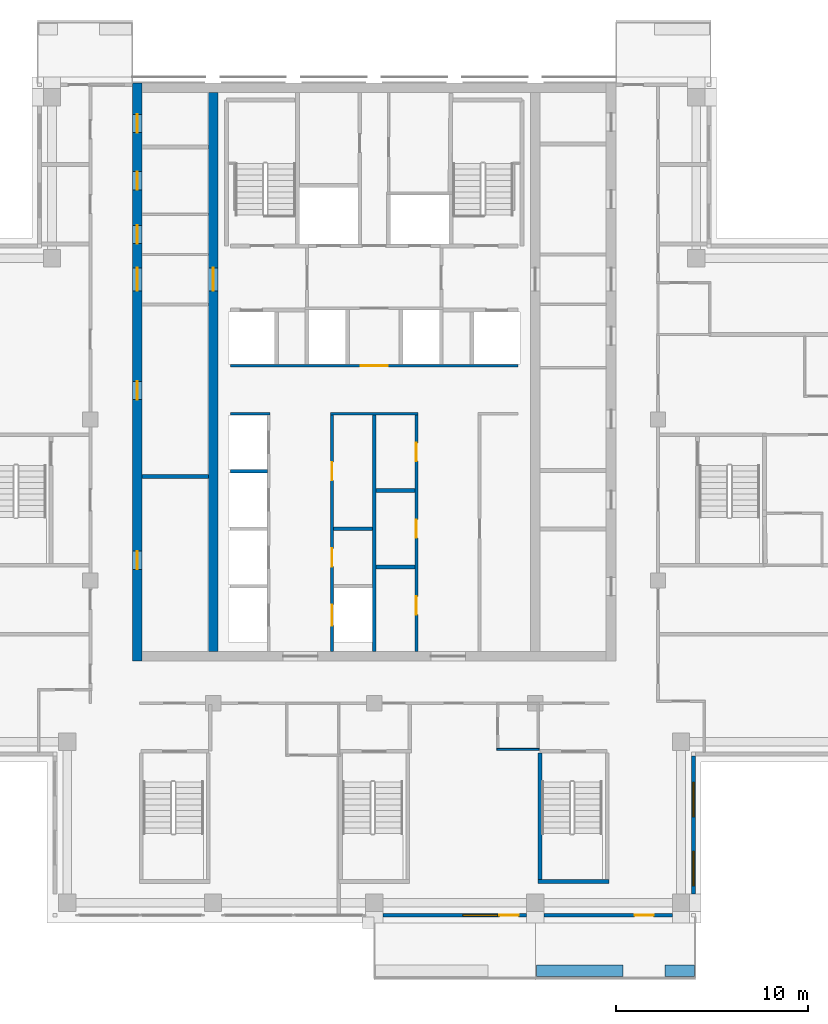
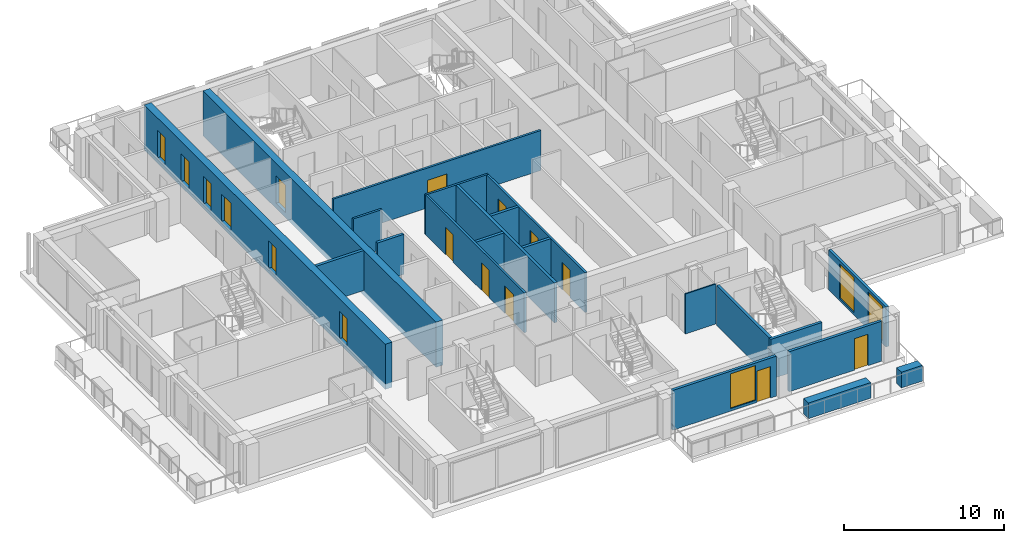
# One storey, part 10 of 17: 21 walls, 16 doors, 3 windows, 19 openings.
"""IFC4 building model written with IfcOpenShell, lengths in metres."""

from ifc_helpers import new_model, si_unit, direction, frame, frame_2d, origin, place, context, subcontext, project, spatial, rectangle, extrude, material, layer, layer_set, type_object, element, fill, save


model = new_model("IFC4")

# Units and contexts
model_context = context("Model", 3, precision=1e-05, world=origin(), true_north=direction((0.0, 1.0)))
body_context = subcontext(model_context, "Body", "Model", "MODEL_VIEW")
ifc_project = project(units=[si_unit("LENGTHUNIT", "METRE"), si_unit("AREAUNIT", "SQUARE_METRE"), si_unit("VOLUMEUNIT", "CUBIC_METRE"), si_unit("PLANEANGLEUNIT", "RADIAN"), si_unit("MASSUNIT", "GRAM", prefix="KILO")], contexts=[model_context])

# Site, building, storey
site_placement = place(None, origin())
site = spatial("IfcSite", under=ifc_project, at=site_placement, CompositionType="ELEMENT")
building_placement = place(site_placement, origin())
building = spatial("IfcBuilding", under=site, at=building_placement, Name="Vermilion Ogive Tower", CompositionType="ELEMENT")
storey_placement = place(building_placement, frame((0.0, 0.0, 244.14990234375)))
storey = spatial("IfcBuildingStorey", under=building, at=storey_placement, Name="L64", CompositionType="ELEMENT", Elevation=244.14990234375)

# Wall, openings, doors
ifc_material_1 = material(Name="Concrete B60", Category="concrete")
ifc_layer_1 = layer(ifc_material_1, 0.5)
ifc_layer_set_1 = layer_set([ifc_layer_1], Name="Core wall 500 B60")
wall_type_1 = type_object("IfcWallType", Name="Core wall 500 B60", PredefinedType="SHEAR", material=ifc_layer_set_1)
wall_1_placement = place(storey_placement, frame((-12.35009765625, -8.39990234375, -0.39990234375), z_axis=(0.0, 0.0, 1.0), x_axis=(0.0, 1.0, 0.0)))
wall_1 = element("IfcWall", 1, at=wall_1_placement, inside=storey, type_object=wall_type_1, Name="L64-CORE-W", PredefinedType="SHEAR", context=body_context, shape_type="SweptSolid", body=[
    extrude(rectangle(XDim=30.14990234375, YDim=0.5, at=frame_2d((15.074951171875, 0.0))), origin(), (0.0, 0.0, 1.0), 3.449951171875),
])
opening_1_placement = place(wall_1_placement, frame((4.78759765625, 0.0, 0.39990234375)))
opening_1 = element("IfcOpeningElement", 2, at=opening_1_placement, cuts=wall_1, Name="Opening DAD111", PredefinedType="OPENING", context=body_context, shape_type="SweptSolid", body=[
    extrude(rectangle(XDim=0.949951171875, YDim=2.10009765625, at=frame_2d((0.47509765625, 1.050048828125))), frame((0.0, 0.260009765625, 0.0), z_axis=(0.0, -1.0, 0.0), x_axis=(1.0, 0.0, 0.0)), (0.0, 0.0, 1.0), 0.52001953125),
])
opening_2_placement = place(wall_1_placement, frame((13.6376953125, 0.0, 0.39990234375)))
opening_2 = element("IfcOpeningElement", 3, at=opening_2_placement, cuts=wall_1, Name="Opening DAD112", PredefinedType="OPENING", context=body_context, shape_type="SweptSolid", body=[
    extrude(rectangle(XDim=0.949951171875, YDim=2.10009765625, at=frame_2d((0.47509765625, 1.050048828125))), frame((0.0, 0.260009765625, 0.0), z_axis=(0.0, -1.0, 0.0), x_axis=(1.0, 0.0, 0.0)), (0.0, 0.0, 1.0), 0.52001953125),
])
opening_3_placement = place(wall_1_placement, frame((21.7705078125, 0.0, 0.39990234375)))
opening_3 = element("IfcOpeningElement", 4, at=opening_3_placement, cuts=wall_1, Name="Opening DAD113", PredefinedType="OPENING", context=body_context, shape_type="SweptSolid", body=[
    extrude(rectangle(XDim=0.949951171875, YDim=2.10009765625, at=frame_2d((0.47509765625, 1.050048828125))), frame((0.0, 0.260009765625, 0.0), z_axis=(0.0, -1.0, 0.0), x_axis=(1.0, 0.0, 0.0)), (0.0, 0.0, 1.0), 0.52001953125),
])
opening_4_placement = place(wall_1_placement, frame((24.57568359375, 0.0, 0.39990234375)))
opening_4 = element("IfcOpeningElement", 5, at=opening_4_placement, cuts=wall_1, Name="Opening DAD114", PredefinedType="OPENING", context=body_context, shape_type="SweptSolid", body=[
    extrude(rectangle(XDim=0.949951171875, YDim=2.10009765625, at=frame_2d((0.47509765625, 1.050048828125))), frame((0.0, 0.260009765625, 0.0), z_axis=(0.0, -1.0, 0.0), x_axis=(1.0, 0.0, 0.0)), (0.0, 0.0, 1.0), 0.52001953125),
])
opening_5_placement = place(wall_1_placement, frame((27.555419921875, 0.0, 0.39990234375)))
opening_5 = element("IfcOpeningElement", 6, at=opening_5_placement, cuts=wall_1, Name="Opening DAD115", PredefinedType="OPENING", context=body_context, shape_type="SweptSolid", body=[
    extrude(rectangle(XDim=0.949951171875, YDim=2.10009765625, at=frame_2d((0.47509765625, 1.050048828125))), frame((0.0, 0.260009765625, 0.0), z_axis=(0.0, -1.0, 0.0), x_axis=(1.0, 0.0, 0.0)), (0.0, 0.0, 1.0), 0.52001953125),
])
opening_6_placement = place(wall_1_placement, frame((19.300048828125, 0.0, 0.39990234375)))
opening_6 = element("IfcOpeningElement", 7, at=opening_6_placement, cuts=wall_1, Name="Opening DAM026", PredefinedType="OPENING", context=body_context, shape_type="SweptSolid", body=[
    extrude(rectangle(XDim=1.199951171875, YDim=2.10009765625, at=frame_2d((0.60009765625, 1.050048828125))), frame((0.0, 0.260009765625, 0.0), z_axis=(0.0, -1.0, 0.0), x_axis=(1.0, 0.0, 0.0)), (0.0, 0.0, 1.0), 0.52001953125),
])
ifc_material_2 = material(Name="Timber door leaf", Category="wood")
door_type_1 = type_object("IfcDoorType", Name="Link door 1200 x 2100 FD60S", OperationType="SINGLE_SWING_LEFT", PredefinedType="DOOR", material=ifc_material_2)
door_1_placement = place(opening_6_placement, origin())
door_1 = element("IfcDoor", 8, at=door_1_placement, inside=storey, type_object=door_type_1, Name="L64-CKW-XL", OperationType="SINGLE_SWING_LEFT", OverallHeight=2.10009765625, OverallWidth=1.199951171875, PredefinedType="DOOR", context=body_context, shape_type="SweptSolid", body=[
    extrude(rectangle(XDim=1.199951171875, YDim=2.10009765625, at=frame_2d((0.60009765625, 1.050048828125))), frame((0.0, 0.02490234375, 0.0), z_axis=(0.0, -1.0, 0.0), x_axis=(1.0, 0.0, 0.0)), (0.0, 0.0, 1.0), 0.050048828125),
])
fill(opening_6, door_1)
ifc_material_3 = material(Name="Timber door leaf", Category="wood")
door_type_2 = type_object("IfcDoorType", Name="Service door 950 x 2100 FD60", OperationType="SINGLE_SWING_LEFT", PredefinedType="DOOR", material=ifc_material_3)
door_2_placement = place(opening_1_placement, origin())
door_2 = element("IfcDoor", 9, at=door_2_placement, inside=storey, type_object=door_type_2, Name="L64-CKW-XR0", OperationType="SINGLE_SWING_LEFT", OverallHeight=2.10009765625, OverallWidth=0.949951171875, PredefinedType="DOOR", context=body_context, shape_type="SweptSolid", body=[
    extrude(rectangle(XDim=0.949951171875, YDim=2.10009765625, at=frame_2d((0.47509765625, 1.050048828125))), frame((0.0, 0.02490234375, 0.0), z_axis=(0.0, -1.0, 0.0), x_axis=(1.0, 0.0, 0.0)), (0.0, 0.0, 1.0), 0.050048828125),
])
fill(opening_1, door_2)
door_3_placement = place(opening_2_placement, origin())
door_3 = element("IfcDoor", 10, at=door_3_placement, inside=storey, type_object=door_type_2, Name="L64-CKW-XR1", OperationType="SINGLE_SWING_LEFT", OverallHeight=2.10009765625, OverallWidth=0.949951171875, PredefinedType="DOOR", context=body_context, shape_type="SweptSolid", body=[
    extrude(rectangle(XDim=0.949951171875, YDim=2.10009765625, at=frame_2d((0.47509765625, 1.050048828125))), frame((0.0, 0.02490234375, 0.0), z_axis=(0.0, -1.0, 0.0), x_axis=(1.0, 0.0, 0.0)), (0.0, 0.0, 1.0), 0.050048828125),
])
fill(opening_2, door_3)
door_4_placement = place(opening_3_placement, origin())
door_4 = element("IfcDoor", 11, at=door_4_placement, inside=storey, type_object=door_type_2, Name="L64-CKW-XR2", OperationType="SINGLE_SWING_LEFT", OverallHeight=2.10009765625, OverallWidth=0.949951171875, PredefinedType="DOOR", context=body_context, shape_type="SweptSolid", body=[
    extrude(rectangle(XDim=0.949951171875, YDim=2.10009765625, at=frame_2d((0.47509765625, 1.050048828125))), frame((0.0, 0.02490234375, 0.0), z_axis=(0.0, -1.0, 0.0), x_axis=(1.0, 0.0, 0.0)), (0.0, 0.0, 1.0), 0.050048828125),
])
fill(opening_3, door_4)
door_5_placement = place(opening_4_placement, origin())
door_5 = element("IfcDoor", 12, at=door_5_placement, inside=storey, type_object=door_type_2, Name="L64-CKW-XR3", OperationType="SINGLE_SWING_LEFT", OverallHeight=2.10009765625, OverallWidth=0.949951171875, PredefinedType="DOOR", context=body_context, shape_type="SweptSolid", body=[
    extrude(rectangle(XDim=0.949951171875, YDim=2.10009765625, at=frame_2d((0.47509765625, 1.050048828125))), frame((0.0, 0.02490234375, 0.0), z_axis=(0.0, -1.0, 0.0), x_axis=(1.0, 0.0, 0.0)), (0.0, 0.0, 1.0), 0.050048828125),
])
fill(opening_4, door_5)
door_6_placement = place(opening_5_placement, origin())
door_6 = element("IfcDoor", 13, at=door_6_placement, inside=storey, type_object=door_type_2, Name="L64-CKW-XR4", OperationType="SINGLE_SWING_LEFT", OverallHeight=2.10009765625, OverallWidth=0.949951171875, PredefinedType="DOOR", context=body_context, shape_type="SweptSolid", body=[
    extrude(rectangle(XDim=0.949951171875, YDim=2.10009765625, at=frame_2d((0.47509765625, 1.050048828125))), frame((0.0, 0.02490234375, 0.0), z_axis=(0.0, -1.0, 0.0), x_axis=(1.0, 0.0, 0.0)), (0.0, 0.0, 1.0), 0.050048828125),
])
fill(opening_5, door_6)

# Wall, opening, door
wall_2_placement = place(storey_placement, frame((-8.39990234375, -7.89990234375, -0.39990234375), z_axis=(0.0, 0.0, 1.0), x_axis=(0.0, 1.0, 0.0)))
wall_2 = element("IfcWall", 14, at=wall_2_placement, inside=storey, type_object=wall_type_1, Name="L64-CORE-WEB1", PredefinedType="SHEAR", context=body_context, shape_type="SweptSolid", body=[
    extrude(rectangle(XDim=29.14990234375, YDim=0.5, at=frame_2d((14.574951171875, 0.0))), origin(), (0.0, 0.0, 1.0), 3.449951171875),
])
opening_7_placement = place(wall_2_placement, frame((18.800048828125, 0.0, 0.39990234375)))
opening_7 = element("IfcOpeningElement", 15, at=opening_7_placement, cuts=wall_2, Name="Opening DAP021", PredefinedType="OPENING", context=body_context, shape_type="SweptSolid", body=[
    extrude(rectangle(XDim=1.199951171875, YDim=2.10009765625, at=frame_2d((0.60009765625, 1.050048828125))), frame((0.0, 0.260009765625, 0.0), z_axis=(0.0, -1.0, 0.0), x_axis=(1.0, 0.0, 0.0)), (0.0, 0.0, 1.0), 0.52001953125),
])
door_7_placement = place(opening_7_placement, origin())
door_7 = element("IfcDoor", 16, at=door_7_placement, inside=storey, type_object=door_type_1, Name="L64-CKW-XW", OperationType="SINGLE_SWING_LEFT", OverallHeight=2.10009765625, OverallWidth=1.199951171875, PredefinedType="DOOR", context=body_context, shape_type="SweptSolid", body=[
    extrude(rectangle(XDim=1.199951171875, YDim=2.10009765625, at=frame_2d((0.60009765625, 1.050048828125))), frame((0.0, 0.02490234375, 0.0), z_axis=(0.0, -1.0, 0.0), x_axis=(1.0, 0.0, 0.0)), (0.0, 0.0, 1.0), 0.050048828125),
])
fill(opening_7, door_7)

# Walls
ifc_material_4 = material(Name="Gypsum board partition on steel studs", Category="steel")
ifc_layer_2 = layer(ifc_material_4, 0.10009765625)
ifc_layer_set_2 = layer_set([ifc_layer_2], Name="Partition 100 bath")
wall_type_2 = type_object("IfcWallType", Name="Partition 100 bath", PredefinedType="PARTITIONING", material=ifc_layer_set_2)
wall_3_placement = place(storey_placement, frame((6.39990234375, -13.0, 0.0), z_axis=(0.0, 0.0, 1.0), x_axis=(1.0, 0.0, 0.0)))
element("IfcWall", 17, at=wall_3_placement, inside=storey, type_object=wall_type_2, Name="L64-W-W006", PredefinedType="PARTITIONING", context=body_context, shape_type="SweptSolid", body=[
    extrude(rectangle(XDim=2.2001953125, YDim=0.10009765625, at=frame_2d((1.10009765625, 0.0))), origin(), (0.0, 0.0, 1.0), 3.050048828125),
])
ifc_material_5 = material(Name="Gypsum board partition on steel studs", Category="steel")
ifc_layer_3 = layer(ifc_material_5, 0.14990234375)
ifc_layer_set_3 = layer_set([ifc_layer_3], Name="Partition 150 corridor")
wall_type_3 = type_object("IfcWallType", Name="Partition 150 corridor", PredefinedType="PARTITIONING", material=ifc_layer_set_3)
wall_4_placement = place(storey_placement, frame((-7.5, 4.5, 0.0), z_axis=(0.0, 0.0, 1.0), x_axis=(1.0, 0.0, 0.0)))
element("IfcWall", 18, at=wall_4_placement, inside=storey, type_object=wall_type_3, Name="L64-CK-W-W008", PredefinedType="PARTITIONING", context=body_context, shape_type="SweptSolid", body=[
    extrude(rectangle(XDim=2.074951171875, YDim=0.14990234375, at=frame_2d((1.03759765625, 0.0))), origin(), (0.0, 0.0, 1.0), 3.050048828125),
])
wall_5_placement = place(storey_placement, frame((-2.27490234375, 4.5, 0.0), z_axis=(0.0, 0.0, 1.0), x_axis=(1.0, 0.0, 0.0)))
element("IfcWall", 19, at=wall_5_placement, inside=storey, type_object=wall_type_3, Name="L64-CK-W-W009", PredefinedType="PARTITIONING", context=body_context, shape_type="SweptSolid", body=[
    extrude(rectangle(XDim=4.5498046875, YDim=0.14990234375, at=frame_2d((2.27490234375, 0.0))), origin(), (0.0, 0.0, 1.0), 3.050048828125),
])

# Wall, opening, door
wall_6_placement = place(storey_placement, frame((-7.5, 7.0, 0.0), z_axis=(0.0, 0.0, 1.0), x_axis=(1.0, 0.0, 0.0)))
wall_6 = element("IfcWall", 20, at=wall_6_placement, inside=storey, type_object=wall_type_3, Name="L64-CK-W-W011", PredefinedType="PARTITIONING", context=body_context, shape_type="SweptSolid", body=[
    extrude(rectangle(XDim=15.0, YDim=0.14990234375, at=frame_2d((7.5, 0.0))), origin(), (0.0, 0.0, 1.0), 3.050048828125),
])
opening_8_placement = place(wall_6_placement, frame((6.800048828125, 0.0, 0.0)))
opening_8 = element("IfcOpeningElement", 21, at=opening_8_placement, cuts=wall_6, Name="Opening DAA587", PredefinedType="OPENING", context=body_context, shape_type="SweptSolid", body=[
    extrude(rectangle(XDim=1.39990234375, YDim=2.10009765625, at=frame_2d((0.699951171875, 1.050048828125))), frame((0.0, 0.0849609375, 0.0), z_axis=(0.0, -1.0, 0.0), x_axis=(1.0, 0.0, 0.0)), (0.0, 0.0, 1.0), 0.169921875),
])
ifc_material_6 = material(Name="Timber door leaf", Category="wood")
door_type_3 = type_object("IfcDoorType", Name="Lobby door 1400 x 2100 FD60S", OperationType="SINGLE_SWING_LEFT", PredefinedType="DOOR", material=ifc_material_6)
door_8_placement = place(opening_8_placement, origin())
door_8 = element("IfcDoor", 22, at=door_8_placement, inside=storey, type_object=door_type_3, Name="L64-CK-D-D016", OperationType="SINGLE_SWING_RIGHT", OverallHeight=2.10009765625, OverallWidth=1.39990234375, PredefinedType="DOOR", context=body_context, shape_type="SweptSolid", body=[
    extrude(rectangle(XDim=1.39990234375, YDim=2.10009765625, at=frame_2d((0.699951171875, 1.050048828125))), frame((0.0, 0.02490234375, 0.0), z_axis=(0.0, -1.0, 0.0), x_axis=(1.0, 0.0, 0.0)), (0.0, 0.0, 1.0), 0.050048828125),
])
fill(opening_8, door_8)

# Wall, openings, doors
wall_7_placement = place(storey_placement, frame((-2.199951171875, -7.89892578125, 0.0), z_axis=(0.0, 0.0, 1.0), x_axis=(0.0, 1.0, 0.0)))
wall_7 = element("IfcWall", 23, at=wall_7_placement, inside=storey, type_object=wall_type_3, Name="L64-CK-W-W025", PredefinedType="PARTITIONING", context=body_context, shape_type="SweptSolid", body=[
    extrude(rectangle(XDim=12.323974609375, YDim=0.14990234375, at=frame_2d((6.162109375, 0.0))), origin(), (0.0, 0.0, 1.0), 3.050048828125),
])
opening_9_placement = place(wall_7_placement, frame((1.348876953125, 0.0, 0.0)))
opening_9 = element("IfcOpeningElement", 24, at=opening_9_placement, cuts=wall_7, Name="Opening DAA604", PredefinedType="OPENING", context=body_context, shape_type="SweptSolid", body=[
    extrude(rectangle(XDim=1.10009765625, YDim=2.10009765625, at=frame_2d((0.550048828125, 1.050048828125))), frame((0.0, 0.0849609375, 0.0), z_axis=(0.0, -1.0, 0.0), x_axis=(1.0, 0.0, 0.0)), (0.0, 0.0, 1.0), 0.169921875),
])
opening_10_placement = place(wall_7_placement, frame((4.423828125, 0.0, 0.0)))
opening_10 = element("IfcOpeningElement", 25, at=opening_10_placement, cuts=wall_7, Name="Opening DAA590", PredefinedType="OPENING", context=body_context, shape_type="SweptSolid", body=[
    extrude(rectangle(XDim=0.949951171875, YDim=2.10009765625, at=frame_2d((0.47509765625, 1.050048828125))), frame((0.0, 0.0849609375, 0.0), z_axis=(0.0, -1.0, 0.0), x_axis=(1.0, 0.0, 0.0)), (0.0, 0.0, 1.0), 0.169921875),
])
opening_11_placement = place(wall_7_placement, frame((8.923828125, 0.0, 0.0)))
opening_11 = element("IfcOpeningElement", 26, at=opening_11_placement, cuts=wall_7, Name="Opening DAA591", PredefinedType="OPENING", context=body_context, shape_type="SweptSolid", body=[
    extrude(rectangle(XDim=0.949951171875, YDim=2.10009765625, at=frame_2d((0.47509765625, 1.050048828125))), frame((0.0, 0.0849609375, 0.0), z_axis=(0.0, -1.0, 0.0), x_axis=(1.0, 0.0, 0.0)), (0.0, 0.0, 1.0), 0.169921875),
])
ifc_material_7 = material(Name="Stainless steel", Category="steel")
door_type_4 = type_object("IfcDoorType", Name="Lift landing door 1100 x 2100", OperationType="SLIDING_TO_LEFT", PredefinedType="DOOR", material=ifc_material_7)
door_9_placement = place(opening_9_placement, origin())
door_9 = element("IfcDoor", 27, at=door_9_placement, inside=storey, type_object=door_type_4, Name="L64-CK-D-D005", OperationType="SLIDING_TO_LEFT", OverallHeight=2.10009765625, OverallWidth=1.10009765625, PredefinedType="DOOR", context=body_context, shape_type="SweptSolid", body=[
    extrude(rectangle(XDim=1.10009765625, YDim=2.10009765625, at=frame_2d((0.550048828125, 1.050048828125))), frame((0.0, 0.02490234375, 0.0), z_axis=(0.0, -1.0, 0.0), x_axis=(1.0, 0.0, 0.0)), (0.0, 0.0, 1.0), 0.050048828125),
])
fill(opening_9, door_9)
door_10_placement = place(opening_10_placement, origin())
door_10 = element("IfcDoor", 28, at=door_10_placement, inside=storey, type_object=door_type_2, Name="L64-CK-D-D006", OperationType="SINGLE_SWING_RIGHT", OverallHeight=2.10009765625, OverallWidth=0.949951171875, PredefinedType="DOOR", context=body_context, shape_type="SweptSolid", body=[
    extrude(rectangle(XDim=0.949951171875, YDim=2.10009765625, at=frame_2d((0.47509765625, 1.050048828125))), frame((0.0, 0.02490234375, 0.0), z_axis=(0.0, -1.0, 0.0), x_axis=(1.0, 0.0, 0.0)), (0.0, 0.0, 1.0), 0.050048828125),
])
fill(opening_10, door_10)
door_11_placement = place(opening_11_placement, origin())
door_11 = element("IfcDoor", 29, at=door_11_placement, inside=storey, type_object=door_type_2, Name="L64-CK-D-D007", OperationType="SINGLE_SWING_LEFT", OverallHeight=2.10009765625, OverallWidth=0.949951171875, PredefinedType="DOOR", context=body_context, shape_type="SweptSolid", body=[
    extrude(rectangle(XDim=0.949951171875, YDim=2.10009765625, at=frame_2d((0.47509765625, 1.050048828125))), frame((0.0, 0.02490234375, 0.0), z_axis=(0.0, -1.0, 0.0), x_axis=(1.0, 0.0, 0.0)), (0.0, 0.0, 1.0), 0.050048828125),
])
fill(opening_11, door_11)

wall_8_placement = place(storey_placement, frame((2.199951171875, -7.89892578125, 0.0), z_axis=(0.0, 0.0, 1.0), x_axis=(0.0, 1.0, 0.0)))
wall_8 = element("IfcWall", 30, at=wall_8_placement, inside=storey, type_object=wall_type_3, Name="L64-CK-W-W032", PredefinedType="PARTITIONING", context=body_context, shape_type="SweptSolid", body=[
    extrude(rectangle(XDim=12.323974609375, YDim=0.14990234375, at=frame_2d((6.162109375, 0.0))), origin(), (0.0, 0.0, 1.0), 3.050048828125),
])
opening_12_placement = place(wall_8_placement, frame((1.923828125, 0.0, 0.0)))
opening_12 = element("IfcOpeningElement", 31, at=opening_12_placement, cuts=wall_8, Name="Opening DAA592", PredefinedType="OPENING", context=body_context, shape_type="SweptSolid", body=[
    extrude(rectangle(XDim=0.949951171875, YDim=2.10009765625, at=frame_2d((0.47509765625, 1.050048828125))), frame((0.0, 0.0849609375, 0.0), z_axis=(0.0, -1.0, 0.0), x_axis=(1.0, 0.0, 0.0)), (0.0, 0.0, 1.0), 0.169921875),
])
opening_13_placement = place(wall_8_placement, frame((5.923828125, 0.0, 0.0)))
opening_13 = element("IfcOpeningElement", 32, at=opening_13_placement, cuts=wall_8, Name="Opening DAA593", PredefinedType="OPENING", context=body_context, shape_type="SweptSolid", body=[
    extrude(rectangle(XDim=0.949951171875, YDim=2.10009765625, at=frame_2d((0.47509765625, 1.050048828125))), frame((0.0, 0.0849609375, 0.0), z_axis=(0.0, -1.0, 0.0), x_axis=(1.0, 0.0, 0.0)), (0.0, 0.0, 1.0), 0.169921875),
])
opening_14_placement = place(wall_8_placement, frame((9.923828125, 0.0, 0.0)))
opening_14 = element("IfcOpeningElement", 33, at=opening_14_placement, cuts=wall_8, Name="Opening DAA594", PredefinedType="OPENING", context=body_context, shape_type="SweptSolid", body=[
    extrude(rectangle(XDim=0.949951171875, YDim=2.10009765625, at=frame_2d((0.47509765625, 1.050048828125))), frame((0.0, 0.0849609375, 0.0), z_axis=(0.0, -1.0, 0.0), x_axis=(1.0, 0.0, 0.0)), (0.0, 0.0, 1.0), 0.169921875),
])
door_12_placement = place(opening_12_placement, origin())
door_12 = element("IfcDoor", 34, at=door_12_placement, inside=storey, type_object=door_type_2, Name="L64-CK-D-D008", OperationType="SINGLE_SWING_RIGHT", OverallHeight=2.10009765625, OverallWidth=0.949951171875, PredefinedType="DOOR", context=body_context, shape_type="SweptSolid", body=[
    extrude(rectangle(XDim=0.949951171875, YDim=2.10009765625, at=frame_2d((0.47509765625, 1.050048828125))), frame((0.0, 0.02490234375, 0.0), z_axis=(0.0, -1.0, 0.0), x_axis=(1.0, 0.0, 0.0)), (0.0, 0.0, 1.0), 0.050048828125),
])
fill(opening_12, door_12)
door_13_placement = place(opening_13_placement, origin())
door_13 = element("IfcDoor", 35, at=door_13_placement, inside=storey, type_object=door_type_2, Name="L64-CK-D-D009", OperationType="SINGLE_SWING_RIGHT", OverallHeight=2.10009765625, OverallWidth=0.949951171875, PredefinedType="DOOR", context=body_context, shape_type="SweptSolid", body=[
    extrude(rectangle(XDim=0.949951171875, YDim=2.10009765625, at=frame_2d((0.47509765625, 1.050048828125))), frame((0.0, 0.02490234375, 0.0), z_axis=(0.0, -1.0, 0.0), x_axis=(1.0, 0.0, 0.0)), (0.0, 0.0, 1.0), 0.050048828125),
])
fill(opening_13, door_13)
door_14_placement = place(opening_14_placement, origin())
door_14 = element("IfcDoor", 36, at=door_14_placement, inside=storey, type_object=door_type_2, Name="L64-CK-D-D010", OperationType="SINGLE_SWING_LEFT", OverallHeight=2.10009765625, OverallWidth=0.949951171875, PredefinedType="DOOR", context=body_context, shape_type="SweptSolid", body=[
    extrude(rectangle(XDim=0.949951171875, YDim=2.10009765625, at=frame_2d((0.47509765625, 1.050048828125))), frame((0.0, 0.02490234375, 0.0), z_axis=(0.0, -1.0, 0.0), x_axis=(1.0, 0.0, 0.0)), (0.0, 0.0, 1.0), 0.050048828125),
])
fill(opening_14, door_14)

# Walls
ifc_material_8 = material(Name="Gypsum board partition on steel studs", Category="steel")
ifc_layer_4 = layer(ifc_material_8, 0.199951171875)
ifc_layer_set_4 = layer_set([ifc_layer_4], Name="Partition 200 party")
wall_type_4 = type_object("IfcWallType", Name="Partition 200 party", PredefinedType="PARTITIONING", material=ifc_layer_set_4)
for number, where, z_axis, x_axis, name in (
    (37, (0.10009765625, -3.5, 0.0), (0.0, 0.0, 1.0), (1.0, 0.0, 0.0), "L64-CK-W-W003"),
    (38, (-2.125, -1.5, 0.0), (0.0, 0.0, 1.0), (1.0, 0.0, 0.0), "L64-CK-W-W005"),
    (39, (0.10009765625, 0.5, 0.0), (0.0, 0.0, 1.0), (1.0, 0.0, 0.0), "L64-CK-W-W006"),
):
    element("IfcWall", number, at=place(storey_placement, frame(where, z_axis=z_axis, x_axis=x_axis)), inside=storey, type_object=wall_type_4, Name=name, PredefinedType="PARTITIONING", context=body_context, shape_type="SweptSolid", body=[
        extrude(rectangle(XDim=2.02490234375, YDim=0.199951171875, at=frame_2d((1.012451171875, 0.0))), origin(), (0.0, 0.0, 1.0), 3.050048828125),
    ])
wall_9_placement = place(storey_placement, frame((-7.5, 1.5, 0.0), z_axis=(0.0, 0.0, 1.0), x_axis=(1.0, 0.0, 0.0)))
element("IfcWall", 40, at=wall_9_placement, inside=storey, type_object=wall_type_4, Name="L64-CK-W-W007", PredefinedType="PARTITIONING", context=body_context, shape_type="SweptSolid", body=[
    extrude(rectangle(XDim=1.925048828125, YDim=0.199951171875, at=frame_2d((0.96240234375, 0.0))), origin(), (0.0, 0.0, 1.0), 3.050048828125),
])
wall_10_placement = place(storey_placement, frame((0.0, -7.89892578125, 0.0), z_axis=(0.0, 0.0, 1.0), x_axis=(0.0, 1.0, 0.0)))
element("IfcWall", 41, at=wall_10_placement, inside=storey, type_object=wall_type_4, Name="L64-CK-W-W028", PredefinedType="PARTITIONING", context=body_context, shape_type="SweptSolid", body=[
    extrude(rectangle(XDim=12.323974609375, YDim=0.199951171875, at=frame_2d((6.162109375, 0.0))), origin(), (0.0, 0.0, 1.0), 3.050048828125),
])
wall_11_placement = place(storey_placement, frame((-12.09912109375, 1.22509765625, 0.0), z_axis=(0.0, 0.0, 1.0), x_axis=(1.0, 0.0, 0.0)))
element("IfcWall", 42, at=wall_11_placement, inside=storey, type_object=wall_type_4, Name="L64-CKW-W-W001", PredefinedType="PARTITIONING", context=body_context, shape_type="SweptSolid", body=[
    extrude(rectangle(XDim=3.4482421875, YDim=0.199951171875, at=frame_2d((1.72412109375, 0.0))), origin(), (0.0, 0.0, 1.0), 3.050048828125),
])
ifc_material_9 = material(Name="Concrete B60", Category="concrete")
ifc_layer_5 = layer(ifc_material_9, 0.199951171875)
ifc_layer_set_5 = layer_set([ifc_layer_5], Name="Stair shaft wall 200 Concrete B60")
wall_type_5 = type_object("IfcWallType", Name="Stair shaft wall 200 Concrete B60", PredefinedType="SOLIDWALL", material=ifc_layer_set_5)
wall_12_placement = place(storey_placement, frame((8.550048828125, -19.89990234375, 0.0), z_axis=(0.0, 0.0, 1.0), x_axis=(1.0, 0.0, 0.0)))
element("IfcWall", 43, at=wall_12_placement, inside=storey, type_object=wall_type_5, Name="L64-SW-ST5-S1", PredefinedType="SOLIDWALL", context=body_context, shape_type="SweptSolid", body=[
    extrude(rectangle(XDim=3.699951171875, YDim=0.199951171875, at=frame_2d((1.85009765625, 0.0))), origin(), (0.0, 0.0, 1.0), 3.050048828125),
])
wall_13_placement = place(storey_placement, frame((8.64990234375, -19.800048828125, 0.0), z_axis=(0.0, 0.0, 1.0), x_axis=(0.0, 1.0, 0.0)))
element("IfcWall", 44, at=wall_13_placement, inside=storey, type_object=wall_type_5, Name="L64-SW-ST5-W1", PredefinedType="SOLIDWALL", context=body_context, shape_type="SweptSolid", body=[
    extrude(rectangle(XDim=6.60009765625, YDim=0.199951171875, at=frame_2d((3.300048828125, 0.0))), origin(), (0.0, 0.0, 1.0), 3.050048828125),
])
ifc_material_10 = material(Name="Concrete B40", Category="concrete")
ifc_layer_6 = layer(ifc_material_10, 0.60009765625)
ifc_layer_set_6 = layer_set([ifc_layer_6], Name="Structural planter")
wall_type_6 = type_object("IfcWallType", Name="Structural planter", PredefinedType="USERDEFINED", material=ifc_layer_set_6)
wall_14_placement = place(storey_placement, frame((8.4599609375, -24.550048828125, -0.039794921875), z_axis=(0.0, 0.0, 1.0), x_axis=(1.0, 0.0, 0.0)))
element("IfcWall", 45, at=wall_14_placement, inside=storey, type_object=wall_type_6, Name="Planter S04A1", ObjectType="PLANTER", PredefinedType="USERDEFINED", context=body_context, shape_type="SweptSolid", body=[
    extrude(rectangle(XDim=4.51513671875, YDim=0.60009765625, at=frame_2d((2.257568359375, 0.0))), origin(), (0.0, 0.0, 1.0), 1.199951171875),
])
wall_15_placement = place(storey_placement, frame((15.175048828125, -24.550048828125, -0.039794921875), z_axis=(0.0, 0.0, 1.0), x_axis=(1.0, 0.0, 0.0)))
element("IfcWall", 46, at=wall_15_placement, inside=storey, type_object=wall_type_6, Name="Planter S04A2", ObjectType="PLANTER", PredefinedType="USERDEFINED", context=body_context, shape_type="SweptSolid", body=[
    extrude(rectangle(XDim=1.514892578125, YDim=0.60009765625, at=frame_2d((0.75732421875, 0.0))), origin(), (0.0, 0.0, 1.0), 1.199951171875),
])

# Wall, openings, door, window
ifc_material_11 = material(Name="Aluminium window wall framing", Category="aluminium")
ifc_layer_7 = layer(ifc_material_11, 0.199951171875)
ifc_layer_set_7 = layer_set([ifc_layer_7], Name="Window wall")
wall_type_7 = type_object("IfcWallType", Name="Window wall", PredefinedType="STANDARD", material=ifc_layer_set_7)
wall_16_placement = place(storey_placement, frame((0.449951171875, -21.64990234375, 0.0), z_axis=(0.0, 0.0, 1.0), x_axis=(1.0, 0.0, 0.0)))
wall_16 = element("IfcWall", 47, at=wall_16_placement, inside=storey, type_object=wall_type_7, Name="Window wall S3", PredefinedType="STANDARD", context=body_context, shape_type="SweptSolid", body=[
    extrude(rectangle(XDim=7.5, YDim=0.199951171875, at=frame_2d((3.75, 0.0))), origin(), (0.0, 0.0, 1.0), 3.050048828125),
])
opening_15_placement = place(wall_16_placement, frame((4.175048828125, 0.0, 0.199951171875)))
opening_15 = element("IfcOpeningElement", 48, at=opening_15_placement, cuts=wall_16, Name="Opening W1-S01", PredefinedType="OPENING", context=body_context, shape_type="SweptSolid", body=[
    extrude(rectangle(XDim=1.800048828125, YDim=2.64990234375, at=frame_2d((0.89990234375, 1.324951171875))), frame((0.0, 0.10986328125, 0.0), z_axis=(0.0, -1.0, 0.0), x_axis=(1.0, 0.0, 0.0)), (0.0, 0.0, 1.0), 0.219970703125),
])
opening_16_placement = place(wall_16_placement, frame((6.074951171875, 0.0, 0.0)))
opening_16 = element("IfcOpeningElement", 49, at=opening_16_placement, cuts=wall_16, Name="Opening D1-S01", PredefinedType="OPENING", context=body_context, shape_type="SweptSolid", body=[
    extrude(rectangle(XDim=1.0, YDim=2.39990234375, at=frame_2d((0.5, 1.199951171875))), frame((0.0, 0.10986328125, 0.0), z_axis=(0.0, -1.0, 0.0), x_axis=(1.0, 0.0, 0.0)), (0.0, 0.0, 1.0), 0.219970703125),
])
ifc_material_12 = material(Name="Aluminium framed glazed door", Category="aluminium")
door_type_5 = type_object("IfcDoorType", Name="Balcony door D1", OperationType="SINGLE_SWING_LEFT", PredefinedType="DOOR", material=ifc_material_12)
door_15_placement = place(opening_16_placement, origin())
door_15 = element("IfcDoor", 50, at=door_15_placement, inside=storey, type_object=door_type_5, Name="Balcony door S01", OperationType="SINGLE_SWING_LEFT", OverallHeight=2.39990234375, OverallWidth=1.0, PredefinedType="DOOR", context=body_context, shape_type="SweptSolid", body=[
    extrude(rectangle(XDim=1.0, YDim=2.39990234375, at=frame_2d((0.5, 1.199951171875))), frame((0.0, 0.02490234375, 0.0), z_axis=(0.0, -1.0, 0.0), x_axis=(1.0, 0.0, 0.0)), (0.0, 0.0, 1.0), 0.050048828125),
])
fill(opening_16, door_15)
ifc_material_13 = material(Name="Aluminium framed double glazing", Category="aluminium")
window_type = type_object("IfcWindowType", Name="Guest window W1", PartitioningType="SINGLE_PANEL", PredefinedType="WINDOW", material=ifc_material_13)
window_1_placement = place(opening_15_placement, origin())
window_1 = element("IfcWindow", 51, at=window_1_placement, inside=storey, type_object=window_type, Name="Window S01", OverallHeight=2.64990234375, OverallWidth=1.800048828125, PartitioningType="SINGLE_PANEL", PredefinedType="WINDOW", context=body_context, shape_type="SweptSolid", body=[
    extrude(rectangle(XDim=1.800048828125, YDim=2.64990234375, at=frame_2d((0.89990234375, 1.324951171875))), frame((0.0, 0.030029296875, 0.0), z_axis=(0.0, -1.0, 0.0), x_axis=(1.0, 0.0, 0.0)), (0.0, 0.0, 1.0), 0.06005859375),
])
fill(opening_15, window_1)

# Wall, opening, door
wall_17_placement = place(storey_placement, frame((8.85009765625, -21.64990234375, 0.0), z_axis=(0.0, 0.0, 1.0), x_axis=(1.0, 0.0, 0.0)))
wall_17 = element("IfcWall", 52, at=wall_17_placement, inside=storey, type_object=wall_type_7, Name="Window wall S4", PredefinedType="STANDARD", context=body_context, shape_type="SweptSolid", body=[
    extrude(rectangle(XDim=6.699951171875, YDim=0.199951171875, at=frame_2d((3.35009765625, 0.0))), origin(), (0.0, 0.0, 1.0), 3.050048828125),
])
opening_17_placement = place(wall_17_placement, frame((4.72509765625, 0.0, 0.0)))
opening_17 = element("IfcOpeningElement", 53, at=opening_17_placement, cuts=wall_17, Name="Opening D1-S03K", PredefinedType="OPENING", context=body_context, shape_type="SweptSolid", body=[
    extrude(rectangle(XDim=1.0, YDim=2.39990234375, at=frame_2d((0.5, 1.199951171875))), frame((0.0, 0.10986328125, 0.0), z_axis=(0.0, -1.0, 0.0), x_axis=(1.0, 0.0, 0.0)), (0.0, 0.0, 1.0), 0.219970703125),
])
door_16_placement = place(opening_17_placement, origin())
door_16 = element("IfcDoor", 54, at=door_16_placement, inside=storey, type_object=door_type_5, Name="Balcony door S03K", OperationType="SINGLE_SWING_LEFT", OverallHeight=2.39990234375, OverallWidth=1.0, PredefinedType="DOOR", context=body_context, shape_type="SweptSolid", body=[
    extrude(rectangle(XDim=1.0, YDim=2.39990234375, at=frame_2d((0.5, 1.199951171875))), frame((0.0, 0.02490234375, 0.0), z_axis=(0.0, -1.0, 0.0), x_axis=(1.0, 0.0, 0.0)), (0.0, 0.0, 1.0), 0.050048828125),
])
fill(opening_17, door_16)

# Wall, openings, windows
wall_18_placement = place(storey_placement, frame((16.64990234375, -20.550048828125, 0.0), z_axis=(0.0, 0.0, 1.0), x_axis=(0.0, 1.0, 0.0)))
wall_18 = element("IfcWall", 55, at=wall_18_placement, inside=storey, type_object=wall_type_7, Name="Window wall X11", PredefinedType="STANDARD", context=body_context, shape_type="SweptSolid", body=[
    extrude(rectangle(XDim=7.199951171875, YDim=0.199951171875, at=frame_2d((3.60009765625, 0.0))), origin(), (0.0, 0.0, 1.0), 3.050048828125),
])
opening_18_placement = place(wall_18_placement, frame((0.425048828125, 0.0, 0.199951171875)))
opening_18 = element("IfcOpeningElement", 56, at=opening_18_placement, cuts=wall_18, Name="Opening W1-X195", PredefinedType="OPENING", context=body_context, shape_type="SweptSolid", body=[
    extrude(rectangle(XDim=1.800048828125, YDim=2.64990234375, at=frame_2d((0.89990234375, 1.324951171875))), frame((0.0, 0.10986328125, 0.0), z_axis=(0.0, -1.0, 0.0), x_axis=(1.0, 0.0, 0.0)), (0.0, 0.0, 1.0), 0.219970703125),
])
opening_19_placement = place(wall_18_placement, frame((4.02490234375, 0.0, 0.199951171875)))
opening_19 = element("IfcOpeningElement", 57, at=opening_19_placement, cuts=wall_18, Name="Opening W1-X196", PredefinedType="OPENING", context=body_context, shape_type="SweptSolid", body=[
    extrude(rectangle(XDim=1.800048828125, YDim=2.64990234375, at=frame_2d((0.89990234375, 1.324951171875))), frame((0.0, 0.10986328125, 0.0), z_axis=(0.0, -1.0, 0.0), x_axis=(1.0, 0.0, 0.0)), (0.0, 0.0, 1.0), 0.219970703125),
])
window_2_placement = place(opening_18_placement, origin())
window_2 = element("IfcWindow", 58, at=window_2_placement, inside=storey, type_object=window_type, Name="Window X195", OverallHeight=2.64990234375, OverallWidth=1.800048828125, PartitioningType="SINGLE_PANEL", PredefinedType="WINDOW", context=body_context, shape_type="SweptSolid", body=[
    extrude(rectangle(XDim=1.800048828125, YDim=2.64990234375, at=frame_2d((0.89990234375, 1.324951171875))), frame((0.0, 0.030029296875, 0.0), z_axis=(0.0, -1.0, 0.0), x_axis=(1.0, 0.0, 0.0)), (0.0, 0.0, 1.0), 0.06005859375),
])
fill(opening_18, window_2)
window_3_placement = place(opening_19_placement, origin())
window_3 = element("IfcWindow", 59, at=window_3_placement, inside=storey, type_object=window_type, Name="Window X196", OverallHeight=2.64990234375, OverallWidth=1.800048828125, PartitioningType="SINGLE_PANEL", PredefinedType="WINDOW", context=body_context, shape_type="SweptSolid", body=[
    extrude(rectangle(XDim=1.800048828125, YDim=2.64990234375, at=frame_2d((0.89990234375, 1.324951171875))), frame((0.0, 0.030029296875, 0.0), z_axis=(0.0, -1.0, 0.0), x_axis=(1.0, 0.0, 0.0)), (0.0, 0.0, 1.0), 0.06005859375),
])
fill(opening_19, window_3)

save(model, "model.ifc")
